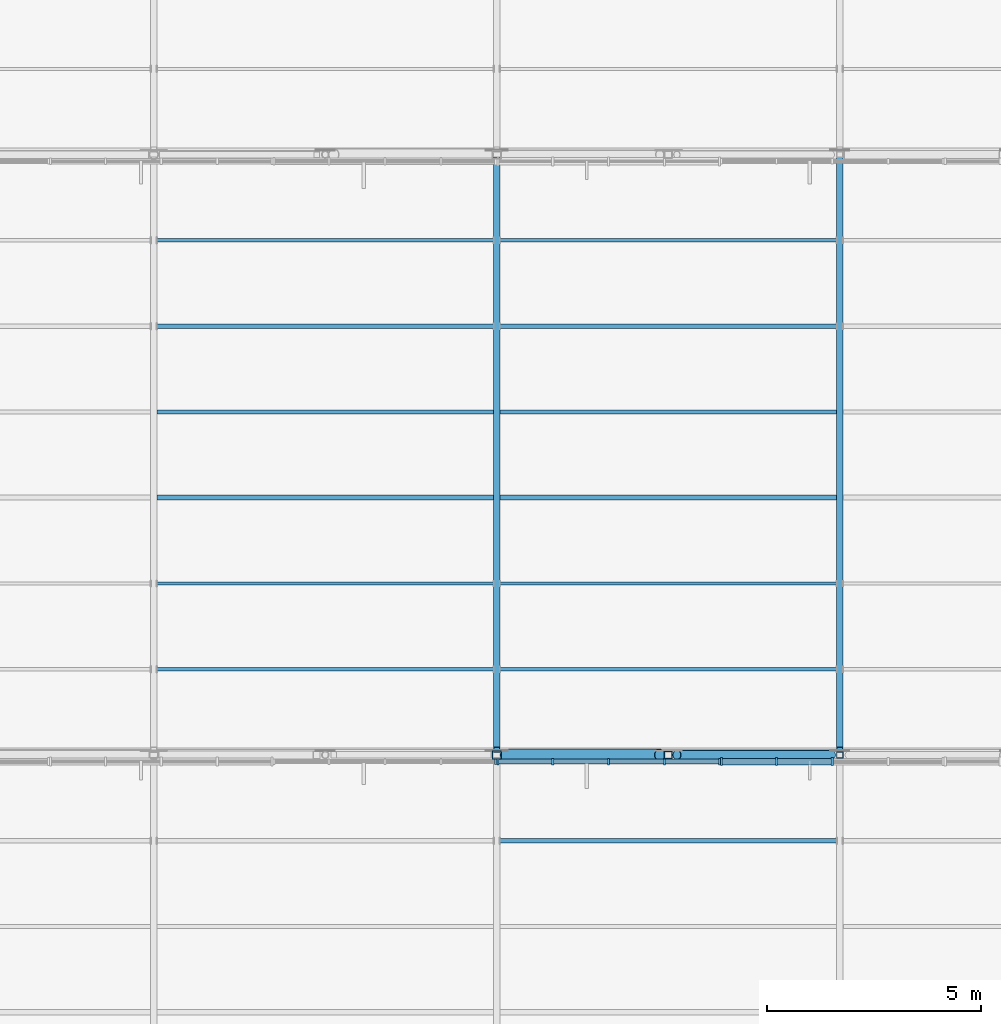
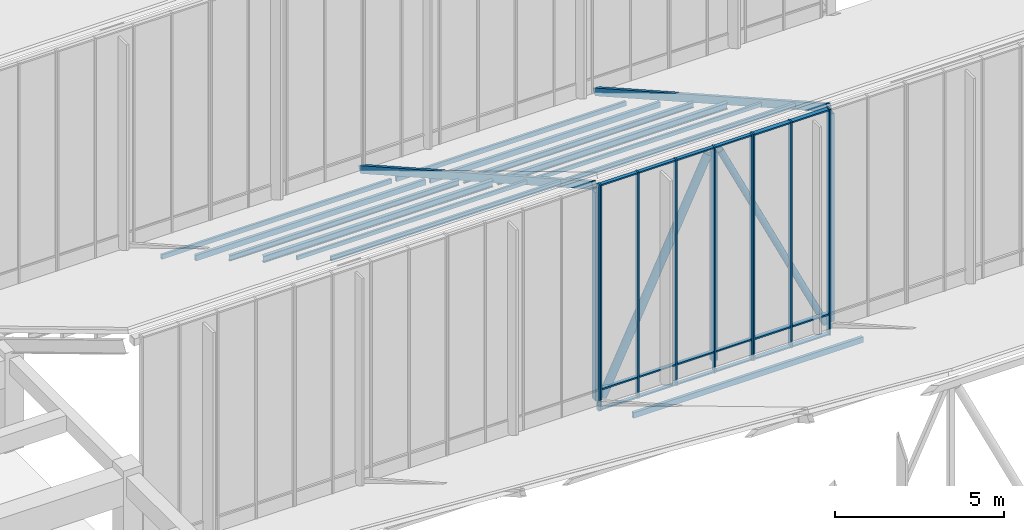
# One storey, part 67 of 155: 47 members, 3 elements without a shape of their own.
"""IFC4 building model written with IfcOpenShell, lengths in metres."""

from ifc_helpers import new_model, si_unit, direction, frame, origin, origin_2d, place, context, subcontext, project, spatial, rectangle, hollow_rectangle, hollow_circle, i_section, extrude, material, material_profile, profile_set, type_object, element, aggregate, save


model = new_model("IFC4")

# Units and contexts
model_context = context("Model", 3, precision=1e-05, world=origin(), true_north=direction((0.0, 1.0)))
body_context = subcontext(model_context, "Body", "Model", "MODEL_VIEW")
ifc_project = project(units=[si_unit("LENGTHUNIT", "METRE"), si_unit("AREAUNIT", "SQUARE_METRE"), si_unit("VOLUMEUNIT", "CUBIC_METRE"), si_unit("PLANEANGLEUNIT", "RADIAN"), si_unit("MASSUNIT", "GRAM", prefix="KILO")], contexts=[model_context])

# Site, building, storey
site_placement = place(None, origin())
site = spatial("IfcSite", under=ifc_project, at=site_placement, CompositionType="ELEMENT")
building_placement = place(site_placement, origin())
building = spatial("IfcBuilding", under=site, at=building_placement, Name="Larkveld Mobility Hub", CompositionType="ELEMENT")
storey_placement = place(building_placement, frame((0.0, 0.0, 8.39990234375)))
storey = spatial("IfcBuildingStorey", under=building, at=storey_placement, Name="L02", CompositionType="ELEMENT", Elevation=8.39990234375)

# Curtain wall, members
ifc_material_1 = material(Name="Anodised aluminium 6063-T6", Category="aluminium")
curtain_wall_type_1 = type_object("IfcCurtainWallType", Name="CW-SYS-05", PredefinedType="NOTDEFINED", material=ifc_material_1)
curtain_wall_1_placement = place(storey_placement, origin())
curtain_wall_1 = element("IfcCurtainWall", 1, at=curtain_wall_1_placement, inside=storey, type_object=curtain_wall_type_1, Name="Sawtooth South-Light Clerestory B6 CW-041", PredefinedType="NOTDEFINED")
ifc_material_profile_1 = material_profile(ifc_material_1, rectangle(XDim=0.050048828125, YDim=0.14990234375, at=origin_2d()), Name="ALU MULL 50x150")
ifc_profile_set_1 = profile_set([ifc_material_profile_1], Name="Anodised aluminium 6063-T6")
member_type_1 = type_object("IfcMemberType", Name="CW-MUL-01", PredefinedType="MULLION", material=ifc_profile_set_1)
member_1_placement = place(storey_placement, frame((168.02490234375, 97.844970703125, -0.001953125), z_axis=(0.0, 0.0, 1.0), x_axis=(1.0, 0.0, 0.0)))
member_1 = element("IfcMember", 2, at=member_1_placement, type_object=member_type_1, Name="CW05 mullion 1", PredefinedType="MULLION", context=body_context, shape_type="SweptSolid", body=[
    extrude(rectangle(XDim=0.050048828125, YDim=0.14990234375, at=origin_2d()), origin(), (0.0, 0.0, 1.0), 8.152099609375),
])
member_2_placement = place(storey_placement, frame((169.303955078125, 97.844970703125, -0.001953125), z_axis=(0.0, 0.0, 1.0), x_axis=(1.0, 0.0, 0.0)))
member_2 = element("IfcMember", 3, at=member_2_placement, type_object=member_type_1, Name="CW05 mullion 2", PredefinedType="MULLION", context=body_context, shape_type="SweptSolid", body=[
    extrude(rectangle(XDim=0.050048828125, YDim=0.14990234375, at=origin_2d()), origin(), (0.0, 0.0, 1.0), 8.152099609375),
])
member_3_placement = place(storey_placement, frame((170.60791015625, 97.844970703125, -0.001953125), z_axis=(0.0, 0.0, 1.0), x_axis=(1.0, 0.0, 0.0)))
member_3 = element("IfcMember", 4, at=member_3_placement, type_object=member_type_1, Name="CW05 mullion 3", PredefinedType="MULLION", context=body_context, shape_type="SweptSolid", body=[
    extrude(rectangle(XDim=0.050048828125, YDim=0.14990234375, at=origin_2d()), origin(), (0.0, 0.0, 1.0), 8.152099609375),
])
member_4_placement = place(storey_placement, frame((171.912109375, 97.844970703125, -0.001953125), z_axis=(0.0, 0.0, 1.0), x_axis=(1.0, 0.0, 0.0)))
member_4 = element("IfcMember", 5, at=member_4_placement, type_object=member_type_1, Name="CW05 mullion 4", PredefinedType="MULLION", context=body_context, shape_type="SweptSolid", body=[
    extrude(rectangle(XDim=0.050048828125, YDim=0.14990234375, at=origin_2d()), origin(), (0.0, 0.0, 1.0), 8.152099609375),
])
member_5_placement = place(storey_placement, frame((173.19189453125, 97.844970703125, -0.001953125), z_axis=(0.0, 0.0, 1.0), x_axis=(1.0, 0.0, 0.0)))
member_5 = element("IfcMember", 6, at=member_5_placement, type_object=member_type_1, Name="CW05 mullion 5", PredefinedType="MULLION", context=body_context, shape_type="SweptSolid", body=[
    extrude(rectangle(XDim=0.050048828125, YDim=0.14990234375, at=origin_2d()), origin(), (0.0, 0.0, 1.0), 8.152099609375),
])

curtain_wall_type_2 = type_object("IfcCurtainWallType", Name="CW-SYS-06", PredefinedType="NOTDEFINED", material=ifc_material_1)
curtain_wall_2_placement = place(storey_placement, origin())
curtain_wall_2 = element("IfcCurtainWall", 7, at=curtain_wall_2_placement, inside=storey, type_object=curtain_wall_type_2, Name="Sawtooth South-Light Clerestory B6 CW-042", PredefinedType="NOTDEFINED")
ifc_material_profile_2 = material_profile(ifc_material_1, rectangle(XDim=0.050048828125, YDim=0.179931640625, at=origin_2d()), Name="ALU MULL 50x180")
ifc_profile_set_2 = profile_set([ifc_material_profile_2], Name="Anodised aluminium 6063-T6")
member_type_2 = type_object("IfcMemberType", Name="CW-MUL-02", PredefinedType="MULLION", material=ifc_profile_set_2)
member_6_placement = place(storey_placement, frame((173.241943359375, 97.844970703125, -0.001953125), z_axis=(0.0, 0.0, 1.0), x_axis=(1.0, 0.0, 0.0)))
member_6 = element("IfcMember", 8, at=member_6_placement, type_object=member_type_2, Name="CW06 mullion 1", PredefinedType="MULLION", context=body_context, shape_type="SweptSolid", body=[
    extrude(rectangle(XDim=0.050048828125, YDim=0.179931640625, at=origin_2d()), origin(), (0.0, 0.0, 1.0), 8.152099609375),
])
member_7_placement = place(storey_placement, frame((174.52099609375, 97.844970703125, -0.001953125), z_axis=(0.0, 0.0, 1.0), x_axis=(1.0, 0.0, 0.0)))
member_7 = element("IfcMember", 9, at=member_7_placement, type_object=member_type_2, Name="CW06 mullion 2", PredefinedType="MULLION", context=body_context, shape_type="SweptSolid", body=[
    extrude(rectangle(XDim=0.050048828125, YDim=0.179931640625, at=origin_2d()), origin(), (0.0, 0.0, 1.0), 8.152099609375),
])
member_8_placement = place(storey_placement, frame((175.824951171875, 97.844970703125, -0.001953125), z_axis=(0.0, 0.0, 1.0), x_axis=(1.0, 0.0, 0.0)))
member_8 = element("IfcMember", 10, at=member_8_placement, type_object=member_type_2, Name="CW06 mullion 3", PredefinedType="MULLION", context=body_context, shape_type="SweptSolid", body=[
    extrude(rectangle(XDim=0.050048828125, YDim=0.179931640625, at=origin_2d()), origin(), (0.0, 0.0, 1.0), 8.152099609375),
])

# Curtain wall, member
curtain_wall_type_3 = type_object("IfcCurtainWallType", Name="CW-SYS-04", PredefinedType="NOTDEFINED", material=ifc_material_1)
curtain_wall_3_placement = place(storey_placement, origin())
curtain_wall_3 = element("IfcCurtainWall", 11, at=curtain_wall_3_placement, inside=storey, type_object=curtain_wall_type_3, Name="Sawtooth South-Light Clerestory B6 CW-040", PredefinedType="NOTDEFINED")
ifc_material_profile_3 = material_profile(ifc_material_1, rectangle(XDim=0.050048828125, YDim=0.1298828125, at=origin_2d()), Name="ALU MULL 50x130")
ifc_profile_set_3 = profile_set([ifc_material_profile_3], Name="Anodised aluminium 6063-T6")
member_type_3 = type_object("IfcMemberType", Name="CW-MUL-04", PredefinedType="MULLION", material=ifc_profile_set_3)
member_9_placement = place(storey_placement, frame((167.97509765625, 97.844970703125, -0.001953125), z_axis=(0.0, 0.0, 1.0), x_axis=(1.0, 0.0, 0.0)))
member_9 = element("IfcMember", 12, at=member_9_placement, type_object=member_type_3, Name="CW04 mullion 5", PredefinedType="MULLION", context=body_context, shape_type="SweptSolid", body=[
    extrude(rectangle(XDim=0.050048828125, YDim=0.1298828125, at=origin_2d()), origin(), (0.0, 0.0, 1.0), 8.152099609375),
])
aggregate(curtain_wall_3, [member_9])

# Member
ifc_material_profile_4 = material_profile(ifc_material_1, rectangle(XDim=0.1201171875, YDim=0.050048828125, at=origin_2d()), Name="ALU TRAN 50x120")
ifc_profile_set_4 = profile_set([ifc_material_profile_4], Name="Anodised aluminium 6063-T6")
member_type_4 = type_object("IfcMemberType", Name="CW-TRN-01", PredefinedType="USERDEFINED", material=ifc_profile_set_4)
member_10_placement = place(storey_placement, frame((168.034912109375, 97.844970703125, 0.030029296875), z_axis=(1.0, 0.0, 0.0), x_axis=(0.0, 1.0, 0.0)))
member_10 = element("IfcMember", 13, at=member_10_placement, type_object=member_type_4, Name="CW05 transom 1.1", ObjectType="TRANSOM", PredefinedType="USERDEFINED", context=body_context, shape_type="SweptSolid", body=[
    extrude(rectangle(XDim=0.1201171875, YDim=0.050048828125, at=origin_2d()), origin(), (0.0, 0.0, 1.0), 1.254150390625),
])

member_11_placement = place(storey_placement, frame((168.034912109375, 97.844970703125, 0.75), z_axis=(1.0, 0.0, 0.0), x_axis=(0.0, 1.0, 0.0)))
member_11 = element("IfcMember", 14, at=member_11_placement, type_object=member_type_4, Name="CW05 transom 1.2", ObjectType="TRANSOM", PredefinedType="USERDEFINED", context=body_context, shape_type="SweptSolid", body=[
    extrude(rectangle(XDim=0.1201171875, YDim=0.050048828125, at=origin_2d()), origin(), (0.0, 0.0, 1.0), 1.254150390625),
])

member_12_placement = place(storey_placement, frame((168.034912109375, 97.844970703125, 8.1181640625), z_axis=(1.0, 0.0, 0.0), x_axis=(0.0, 1.0, 0.0)))
member_12 = element("IfcMember", 15, at=member_12_placement, type_object=member_type_4, Name="CW05 transom 1.3", ObjectType="TRANSOM", PredefinedType="USERDEFINED", context=body_context, shape_type="SweptSolid", body=[
    extrude(rectangle(XDim=0.1201171875, YDim=0.050048828125, at=origin_2d()), origin(), (0.0, 0.0, 1.0), 1.254150390625),
])

member_13_placement = place(storey_placement, frame((169.319091796875, 97.844970703125, 0.030029296875), z_axis=(1.0, 0.0, 0.0), x_axis=(0.0, 1.0, 0.0)))
member_13 = element("IfcMember", 16, at=member_13_placement, type_object=member_type_4, Name="CW05 transom 2.1", ObjectType="TRANSOM", PredefinedType="USERDEFINED", context=body_context, shape_type="SweptSolid", body=[
    extrude(rectangle(XDim=0.1201171875, YDim=0.050048828125, at=origin_2d()), origin(), (0.0, 0.0, 1.0), 1.27392578125),
])

member_14_placement = place(storey_placement, frame((169.319091796875, 97.844970703125, 0.75), z_axis=(1.0, 0.0, 0.0), x_axis=(0.0, 1.0, 0.0)))
member_14 = element("IfcMember", 17, at=member_14_placement, type_object=member_type_4, Name="CW05 transom 2.2", ObjectType="TRANSOM", PredefinedType="USERDEFINED", context=body_context, shape_type="SweptSolid", body=[
    extrude(rectangle(XDim=0.1201171875, YDim=0.050048828125, at=origin_2d()), origin(), (0.0, 0.0, 1.0), 1.27392578125),
])

member_15_placement = place(storey_placement, frame((169.319091796875, 97.844970703125, 8.1181640625), z_axis=(1.0, 0.0, 0.0), x_axis=(0.0, 1.0, 0.0)))
member_15 = element("IfcMember", 18, at=member_15_placement, type_object=member_type_4, Name="CW05 transom 2.3", ObjectType="TRANSOM", PredefinedType="USERDEFINED", context=body_context, shape_type="SweptSolid", body=[
    extrude(rectangle(XDim=0.1201171875, YDim=0.050048828125, at=origin_2d()), origin(), (0.0, 0.0, 1.0), 1.27392578125),
])

member_16_placement = place(storey_placement, frame((170.623046875, 97.844970703125, 0.030029296875), z_axis=(1.0, 0.0, 0.0), x_axis=(0.0, 1.0, 0.0)))
member_16 = element("IfcMember", 19, at=member_16_placement, type_object=member_type_4, Name="CW05 transom 3.1", ObjectType="TRANSOM", PredefinedType="USERDEFINED", context=body_context, shape_type="SweptSolid", body=[
    extrude(rectangle(XDim=0.1201171875, YDim=0.050048828125, at=origin_2d()), origin(), (0.0, 0.0, 1.0), 1.27490234375),
])

member_17_placement = place(storey_placement, frame((170.623046875, 97.844970703125, 0.75), z_axis=(1.0, 0.0, 0.0), x_axis=(0.0, 1.0, 0.0)))
member_17 = element("IfcMember", 20, at=member_17_placement, type_object=member_type_4, Name="CW05 transom 3.2", ObjectType="TRANSOM", PredefinedType="USERDEFINED", context=body_context, shape_type="SweptSolid", body=[
    extrude(rectangle(XDim=0.1201171875, YDim=0.050048828125, at=origin_2d()), origin(), (0.0, 0.0, 1.0), 1.27490234375),
])

member_18_placement = place(storey_placement, frame((170.623046875, 97.844970703125, 8.1181640625), z_axis=(1.0, 0.0, 0.0), x_axis=(0.0, 1.0, 0.0)))
member_18 = element("IfcMember", 21, at=member_18_placement, type_object=member_type_4, Name="CW05 transom 3.3", ObjectType="TRANSOM", PredefinedType="USERDEFINED", context=body_context, shape_type="SweptSolid", body=[
    extrude(rectangle(XDim=0.1201171875, YDim=0.050048828125, at=origin_2d()), origin(), (0.0, 0.0, 1.0), 1.27490234375),
])

member_19_placement = place(storey_placement, frame((171.927978515625, 97.844970703125, 0.030029296875), z_axis=(1.0, 0.0, 0.0), x_axis=(0.0, 1.0, 0.0)))
member_19 = element("IfcMember", 22, at=member_19_placement, type_object=member_type_4, Name="CW05 transom 4.1", ObjectType="TRANSOM", PredefinedType="USERDEFINED", context=body_context, shape_type="SweptSolid", body=[
    extrude(rectangle(XDim=0.1201171875, YDim=0.050048828125, at=origin_2d()), origin(), (0.0, 0.0, 1.0), 1.25390625),
])

member_20_placement = place(storey_placement, frame((171.927978515625, 97.844970703125, 0.75), z_axis=(1.0, 0.0, 0.0), x_axis=(0.0, 1.0, 0.0)))
member_20 = element("IfcMember", 23, at=member_20_placement, type_object=member_type_4, Name="CW05 transom 4.2", ObjectType="TRANSOM", PredefinedType="USERDEFINED", context=body_context, shape_type="SweptSolid", body=[
    extrude(rectangle(XDim=0.1201171875, YDim=0.050048828125, at=origin_2d()), origin(), (0.0, 0.0, 1.0), 1.25390625),
])

member_21_placement = place(storey_placement, frame((171.927978515625, 97.844970703125, 8.1181640625), z_axis=(1.0, 0.0, 0.0), x_axis=(0.0, 1.0, 0.0)))
member_21 = element("IfcMember", 24, at=member_21_placement, type_object=member_type_4, Name="CW05 transom 4.3", ObjectType="TRANSOM", PredefinedType="USERDEFINED", context=body_context, shape_type="SweptSolid", body=[
    extrude(rectangle(XDim=0.1201171875, YDim=0.050048828125, at=origin_2d()), origin(), (0.0, 0.0, 1.0), 1.25390625),
])

aggregate(curtain_wall_1, [member_1, member_2, member_3, member_4, member_5, member_10, member_11, member_12, member_13, member_14, member_15, member_16, member_17, member_18, member_19, member_20, member_21])

ifc_material_profile_5 = material_profile(ifc_material_1, rectangle(XDim=0.14990234375, YDim=0.050048828125, at=origin_2d()), Name="ALU TRAN 50x150")
ifc_profile_set_5 = profile_set([ifc_material_profile_5], Name="Anodised aluminium 6063-T6")
member_type_5 = type_object("IfcMemberType", Name="CW-TRN-02", PredefinedType="USERDEFINED", material=ifc_profile_set_5)
member_22_placement = place(storey_placement, frame((173.251953125, 97.844970703125, 0.030029296875), z_axis=(1.0, 0.0, 0.0), x_axis=(0.0, 1.0, 0.0)))
member_22 = element("IfcMember", 25, at=member_22_placement, type_object=member_type_5, Name="CW06 transom 1.1", ObjectType="TRANSOM", PredefinedType="USERDEFINED", context=body_context, shape_type="SweptSolid", body=[
    extrude(rectangle(XDim=0.14990234375, YDim=0.050048828125, at=origin_2d()), origin(), (0.0, 0.0, 1.0), 1.254150390625),
])

member_23_placement = place(storey_placement, frame((173.251953125, 97.844970703125, 0.75), z_axis=(1.0, 0.0, 0.0), x_axis=(0.0, 1.0, 0.0)))
member_23 = element("IfcMember", 26, at=member_23_placement, type_object=member_type_5, Name="CW06 transom 1.2", ObjectType="TRANSOM", PredefinedType="USERDEFINED", context=body_context, shape_type="SweptSolid", body=[
    extrude(rectangle(XDim=0.14990234375, YDim=0.050048828125, at=origin_2d()), origin(), (0.0, 0.0, 1.0), 1.254150390625),
])

member_24_placement = place(storey_placement, frame((173.251953125, 97.844970703125, 8.1181640625), z_axis=(1.0, 0.0, 0.0), x_axis=(0.0, 1.0, 0.0)))
member_24 = element("IfcMember", 27, at=member_24_placement, type_object=member_type_5, Name="CW06 transom 1.3", ObjectType="TRANSOM", PredefinedType="USERDEFINED", context=body_context, shape_type="SweptSolid", body=[
    extrude(rectangle(XDim=0.14990234375, YDim=0.050048828125, at=origin_2d()), origin(), (0.0, 0.0, 1.0), 1.254150390625),
])

member_25_placement = place(storey_placement, frame((174.535888671875, 97.844970703125, 0.030029296875), z_axis=(1.0, 0.0, 0.0), x_axis=(0.0, 1.0, 0.0)))
member_25 = element("IfcMember", 28, at=member_25_placement, type_object=member_type_5, Name="CW06 transom 2.1", ObjectType="TRANSOM", PredefinedType="USERDEFINED", context=body_context, shape_type="SweptSolid", body=[
    extrude(rectangle(XDim=0.14990234375, YDim=0.050048828125, at=origin_2d()), origin(), (0.0, 0.0, 1.0), 1.274169921875),
])

member_26_placement = place(storey_placement, frame((174.535888671875, 97.844970703125, 0.75), z_axis=(1.0, 0.0, 0.0), x_axis=(0.0, 1.0, 0.0)))
member_26 = element("IfcMember", 29, at=member_26_placement, type_object=member_type_5, Name="CW06 transom 2.2", ObjectType="TRANSOM", PredefinedType="USERDEFINED", context=body_context, shape_type="SweptSolid", body=[
    extrude(rectangle(XDim=0.14990234375, YDim=0.050048828125, at=origin_2d()), origin(), (0.0, 0.0, 1.0), 1.274169921875),
])

member_27_placement = place(storey_placement, frame((174.535888671875, 97.844970703125, 8.1181640625), z_axis=(1.0, 0.0, 0.0), x_axis=(0.0, 1.0, 0.0)))
member_27 = element("IfcMember", 30, at=member_27_placement, type_object=member_type_5, Name="CW06 transom 2.3", ObjectType="TRANSOM", PredefinedType="USERDEFINED", context=body_context, shape_type="SweptSolid", body=[
    extrude(rectangle(XDim=0.14990234375, YDim=0.050048828125, at=origin_2d()), origin(), (0.0, 0.0, 1.0), 1.274169921875),
])

aggregate(curtain_wall_2, [member_6, member_7, member_8, member_22, member_23, member_24, member_25, member_26, member_27])

# Members
ifc_material_2 = material(Name="Steel S355JR", Category="steel")
ifc_material_profile_6 = material_profile(ifc_material_2, hollow_circle(Radius=0.109619140625, WallThickness=0.010009765625, at=origin_2d()), Name="CHS 219.1x10")
ifc_profile_set_6 = profile_set([ifc_material_profile_6], Name="Steel S355JR")
member_type_6 = type_object("IfcMemberType", Name="MB-BR-CHS219", PredefinedType="BRACE", material=ifc_profile_set_6)
member_28_placement = place(storey_placement, frame((172.199951171875, 98.0, 7.8251953125), z_axis=(0.432694817509, 0.0, -0.901540456608), x_axis=(0.0, 1.0, 0.0)))
element("IfcMember", 31, at=member_28_placement, inside=storey, type_object=member_type_6, Name="ROOF TRUSS T6 Web Diagonal 6", PredefinedType="BRACE", context=body_context, shape_type="SweptSolid", body=[
    extrude(hollow_circle(Radius=0.109619140625, WallThickness=0.010009765625, at=origin_2d()), origin(), (0.0, 0.0, 1.0), 8.320068359375),
])
ifc_material_profile_7 = material_profile(ifc_material_2, hollow_circle(Radius=0.136474609375, WallThickness=0.012451171875, at=origin_2d()), Name="CHS 273x12.5")
ifc_profile_set_7 = profile_set([ifc_material_profile_7], Name="Steel S355JR")
member_type_7 = type_object("IfcMemberType", Name="MB-BR-CHS273", PredefinedType="BRACE", material=ifc_profile_set_7)
member_29_placement = place(storey_placement, frame((168.199951171875, 98.0, 0.32421875), z_axis=(0.432694817509, 0.0, 0.901540456608), x_axis=(0.0, 1.0, 0.0)))
element("IfcMember", 32, at=member_29_placement, inside=storey, type_object=member_type_7, Name="ROOF TRUSS T6 Web Diagonal 5", PredefinedType="BRACE", context=body_context, shape_type="SweptSolid", body=[
    extrude(hollow_circle(Radius=0.136474609375, WallThickness=0.012451171875, at=origin_2d()), origin(), (0.0, 0.0, 1.0), 8.320068359375),
])
ifc_material_profile_8 = material_profile(ifc_material_2, hollow_rectangle(XDim=0.14990234375, YDim=0.14990234375, WallThickness=0.008056640625, at=origin_2d()), Name="SHS 150x150x8")
ifc_profile_set_8 = profile_set([ifc_material_profile_8], Name="Steel S355JR")
member_type_8 = type_object("IfcMemberType", Name="MB-BR-SHS150", PredefinedType="BRACE", material=ifc_profile_set_8)
member_30_placement = place(storey_placement, frame((176.0, 98.0, 0.32421875), z_axis=(0.0, 0.0, 1.0), x_axis=(1.0, 0.0, 0.0)))
element("IfcMember", 33, at=member_30_placement, inside=storey, type_object=member_type_8, Name="ROOF TRUSS T6 Vertical Post 6", PredefinedType="BRACE", context=body_context, shape_type="SweptSolid", body=[
    extrude(hollow_rectangle(XDim=0.14990234375, YDim=0.14990234375, WallThickness=0.008056640625, at=origin_2d()), origin(), (0.0, 0.0, 1.0), 7.5009765625),
])
ifc_material_profile_9 = material_profile(ifc_material_2, hollow_rectangle(XDim=0.179931640625, YDim=0.179931640625, WallThickness=0.010009765625, at=origin_2d()), Name="SHS 180x180x10")
ifc_profile_set_9 = profile_set([ifc_material_profile_9], Name="Steel S355JR")
member_type_9 = type_object("IfcMemberType", Name="MB-BR-SHS180", PredefinedType="BRACE", material=ifc_profile_set_9)
member_31_placement = place(storey_placement, frame((172.0, 98.0, 0.32421875), z_axis=(0.0, 0.0, 1.0), x_axis=(1.0, 0.0, 0.0)))
element("IfcMember", 34, at=member_31_placement, inside=storey, type_object=member_type_9, Name="ROOF TRUSS T6 Vertical Post 5", PredefinedType="BRACE", context=body_context, shape_type="SweptSolid", body=[
    extrude(hollow_rectangle(XDim=0.179931640625, YDim=0.179931640625, WallThickness=0.010009765625, at=origin_2d()), origin(), (0.0, 0.0, 1.0), 7.5009765625),
])
ifc_material_profile_10 = material_profile(ifc_material_2, hollow_rectangle(XDim=0.199951171875, YDim=0.199951171875, WallThickness=0.010009765625, at=origin_2d()), Name="SHS 200x200x10")
ifc_profile_set_10 = profile_set([ifc_material_profile_10], Name="Steel S355JR")
member_type_10 = type_object("IfcMemberType", Name="MB-BR-SHS200", PredefinedType="BRACE", material=ifc_profile_set_10)
member_32_placement = place(storey_placement, frame((168.0, 98.0, 0.32421875), z_axis=(0.0, 0.0, 1.0), x_axis=(1.0, 0.0, 0.0)))
element("IfcMember", 35, at=member_32_placement, inside=storey, type_object=member_type_10, Name="ROOF TRUSS T6 Vertical Post 4", PredefinedType="BRACE", context=body_context, shape_type="SweptSolid", body=[
    extrude(hollow_rectangle(XDim=0.199951171875, YDim=0.199951171875, WallThickness=0.010009765625, at=origin_2d()), origin(), (0.0, 0.0, 1.0), 7.5009765625),
])
ifc_material_profile_11 = material_profile(ifc_material_2, hollow_rectangle(XDim=0.14990234375, YDim=0.25, WallThickness=0.010009765625, at=origin_2d()), Name="RHS 250x150x10")
ifc_profile_set_11 = profile_set([ifc_material_profile_11], Name="Steel S355JR")
member_type_11 = type_object("IfcMemberType", Name="MB-CH-RHS250", PredefinedType="CHORD", material=ifc_profile_set_11)
for number, where, z_axis, x_axis, name in (
    (36, (168.0, 98.1201171875, 7.9501953125), (0.0, 0.870759014799, -0.491710014283), (-1.0, 0.0, 0.0), "ROOF TRUSS Sloped Rafter Chord B6-168"),
    (37, (176.0, 98.1201171875, 7.9501953125), (0.0, 0.870759014799, -0.491710014283), (-1.0, 0.0, 0.0), "ROOF TRUSS Sloped Rafter Chord B6-176"),
):
    element("IfcMember", number, at=place(storey_placement, frame(where, z_axis=z_axis, x_axis=x_axis)), inside=storey, type_object=member_type_11, Name=name, PredefinedType="CHORD", context=body_context, shape_type="SweptSolid", body=[
        extrude(hollow_rectangle(XDim=0.14990234375, YDim=0.25, WallThickness=0.010009765625, at=origin_2d()), origin(), (0.0, 0.0, 1.0), 15.802001953125),
    ])
ifc_material_profile_12 = material_profile(ifc_material_2, i_section(OverallWidth=0.10009765625, OverallDepth=0.199951171875, WebThickness=0.005615234375, FlangeThickness=0.008544921875, FilletRadius=0.011962890625, at=origin_2d()), Name="IPE 200")
ifc_profile_set_12 = profile_set([ifc_material_profile_12], Name="Steel S355JR")
member_type_12 = type_object("IfcMemberType", Name="MB-PR-IPE200", PredefinedType="PURLIN", material=ifc_profile_set_12)
for number, where, z_axis, x_axis, name in (
    (38, (160.080078125, 106.0, 3.30712890625), (1.0, 0.0, 0.0), (0.0, 1.0, 0.0), "Sawtooth Roof Purlin B6-4.2"),
    (39, (168.080078125, 106.0, 3.30712890625), (1.0, 0.0, 0.0), (0.0, 1.0, 0.0), "Sawtooth Roof Purlin B6-4.3"),
):
    element("IfcMember", number, at=place(storey_placement, frame(where, z_axis=z_axis, x_axis=x_axis)), inside=storey, type_object=member_type_12, Name=name, PredefinedType="PURLIN", context=body_context, shape_type="SweptSolid", body=[
        extrude(i_section(OverallWidth=0.10009765625, OverallDepth=0.199951171875, WebThickness=0.005615234375, FlangeThickness=0.008544921875, FilletRadius=0.011962890625, at=origin_2d()), origin(), (0.0, 0.0, 1.0), 7.83984375),
    ])
ifc_material_profile_13 = material_profile(ifc_material_2, i_section(OverallWidth=0.1201171875, OverallDepth=0.239990234375, WebThickness=0.006103515625, FlangeThickness=0.009765625, FilletRadius=0.014892578125, at=origin_2d()), Name="IPE 240")
ifc_profile_set_13 = profile_set([ifc_material_profile_13], Name="Steel S355JR")
member_type_13 = type_object("IfcMemberType", Name="MB-PR-IPE240", PredefinedType="PURLIN", material=ifc_profile_set_13)
for number, where, z_axis, x_axis, name in (
    (40, (160.080078125, 104.0, 4.487060546875), (1.0, 0.0, 0.0), (0.0, 1.0, 0.0), "Sawtooth Roof Purlin B6-3.2"),
    (41, (168.080078125, 104.0, 4.487060546875), (1.0, 0.0, 0.0), (0.0, 1.0, 0.0), "Sawtooth Roof Purlin B6-3.3"),
):
    element("IfcMember", number, at=place(storey_placement, frame(where, z_axis=z_axis, x_axis=x_axis)), inside=storey, type_object=member_type_13, Name=name, PredefinedType="PURLIN", context=body_context, shape_type="SweptSolid", body=[
        extrude(i_section(OverallWidth=0.1201171875, OverallDepth=0.239990234375, WebThickness=0.006103515625, FlangeThickness=0.009765625, FilletRadius=0.014892578125, at=origin_2d()), origin(), (0.0, 0.0, 1.0), 7.83984375),
    ])
ifc_material_profile_14 = material_profile(ifc_material_2, hollow_rectangle(XDim=0.070068359375, YDim=0.139892578125, WallThickness=0.00634765625, at=origin_2d()), Name="RHS 140x70x6.3")
ifc_profile_set_14 = profile_set([ifc_material_profile_14], Name="Steel S355JR")
member_type_14 = type_object("IfcMemberType", Name="MB-PR-RHS140", PredefinedType="PURLIN", material=ifc_profile_set_14)
for number, where, z_axis, x_axis, name in (
    (42, (160.080078125, 102.0, 5.737060546875), (1.0, 0.0, 0.0), (0.0, 1.0, 0.0), "Sawtooth Roof Purlin B6-2.2"),
    (43, (168.080078125, 102.0, 5.737060546875), (1.0, 0.0, 0.0), (0.0, 1.0, 0.0), "Sawtooth Roof Purlin B6-2.3"),
):
    element("IfcMember", number, at=place(storey_placement, frame(where, z_axis=z_axis, x_axis=x_axis)), inside=storey, type_object=member_type_14, Name=name, PredefinedType="PURLIN", context=body_context, shape_type="SweptSolid", body=[
        extrude(hollow_rectangle(XDim=0.070068359375, YDim=0.139892578125, WallThickness=0.00634765625, at=origin_2d()), origin(), (0.0, 0.0, 1.0), 7.83984375),
    ])
ifc_material_profile_15 = material_profile(ifc_material_2, hollow_rectangle(XDim=0.080078125, YDim=0.159912109375, WallThickness=0.008056640625, at=origin_2d()), Name="RHS 160x80x8")
ifc_profile_set_15 = profile_set([ifc_material_profile_15], Name="Steel S355JR")
member_type_15 = type_object("IfcMemberType", Name="MB-PR-RHS160", PredefinedType="PURLIN", material=ifc_profile_set_15)
for number, where, z_axis, x_axis, name in (
    (44, (160.080078125, 100.0, 6.927001953125), (1.0, 0.0, 0.0), (0.0, 1.0, 0.0), "Sawtooth Roof Purlin B6-1.2"),
    (45, (168.080078125, 100.0, 6.927001953125), (1.0, 0.0, 0.0), (0.0, 1.0, 0.0), "Sawtooth Roof Purlin B6-1.3"),
    (46, (160.080078125, 110.0, 0.927001953125), (1.0, 0.0, 0.0), (0.0, 1.0, 0.0), "Sawtooth Roof Purlin B6-6.2"),
    (47, (168.080078125, 110.0, 0.927001953125), (1.0, 0.0, 0.0), (0.0, 1.0, 0.0), "Sawtooth Roof Purlin B6-6.3"),
):
    element("IfcMember", number, at=place(storey_placement, frame(where, z_axis=z_axis, x_axis=x_axis)), inside=storey, type_object=member_type_15, Name=name, PredefinedType="PURLIN", context=body_context, shape_type="SweptSolid", body=[
        extrude(hollow_rectangle(XDim=0.080078125, YDim=0.159912109375, WallThickness=0.008056640625, at=origin_2d()), origin(), (0.0, 0.0, 1.0), 7.83984375),
    ])
ifc_material_profile_16 = material_profile(ifc_material_2, hollow_rectangle(XDim=0.10009765625, YDim=0.199951171875, WallThickness=0.008056640625, at=origin_2d()), Name="RHS 200x100x8")
ifc_profile_set_16 = profile_set([ifc_material_profile_16], Name="Steel S355JR")
member_type_16 = type_object("IfcMemberType", Name="MB-PR-RHS200", PredefinedType="PURLIN", material=ifc_profile_set_16)
for number, where, z_axis, x_axis, name in (
    (48, (168.080078125, 96.0, 0.906982421875), (1.0, 0.0, 0.0), (0.0, 1.0, 0.0), "Sawtooth Roof Purlin B5-6.3"),
    (49, (160.080078125, 108.0, 2.107177734375), (1.0, 0.0, 0.0), (0.0, 1.0, 0.0), "Sawtooth Roof Purlin B6-5.2"),
    (50, (168.080078125, 108.0, 2.107177734375), (1.0, 0.0, 0.0), (0.0, 1.0, 0.0), "Sawtooth Roof Purlin B6-5.3"),
):
    element("IfcMember", number, at=place(storey_placement, frame(where, z_axis=z_axis, x_axis=x_axis)), inside=storey, type_object=member_type_16, Name=name, PredefinedType="PURLIN", context=body_context, shape_type="SweptSolid", body=[
        extrude(hollow_rectangle(XDim=0.10009765625, YDim=0.199951171875, WallThickness=0.008056640625, at=origin_2d()), origin(), (0.0, 0.0, 1.0), 7.83984375),
    ])

save(model, "model.ifc")
